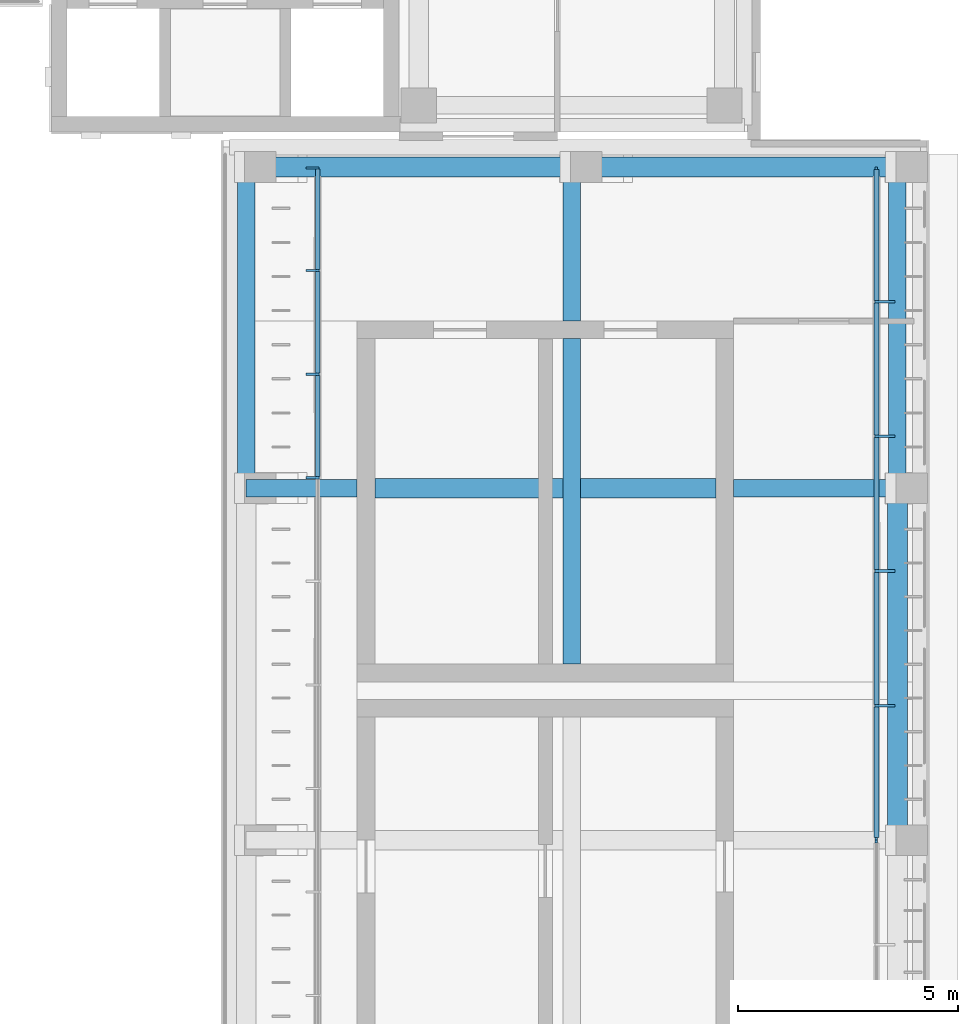
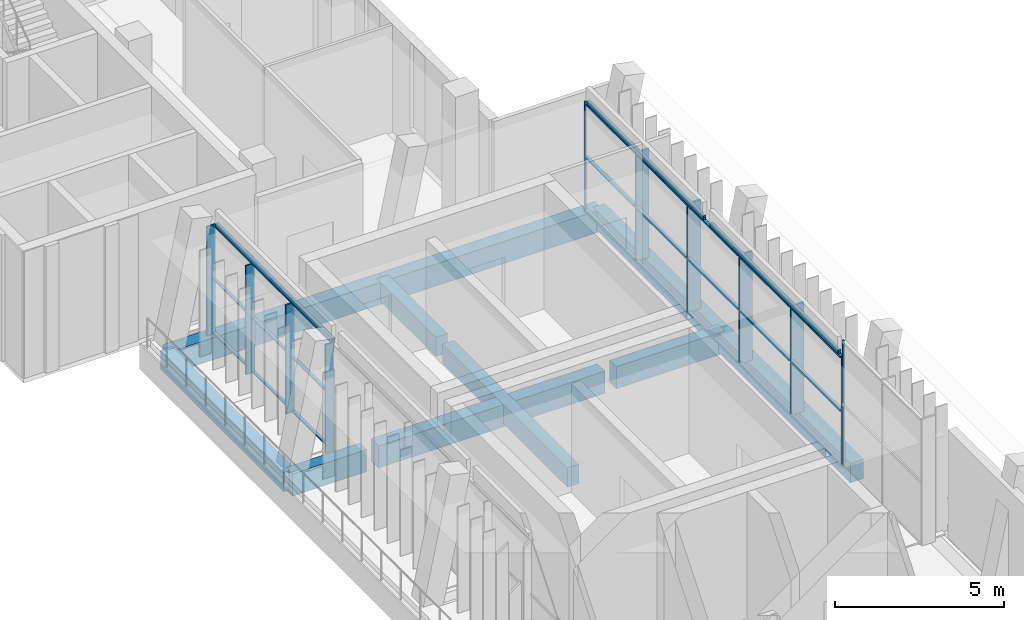
# One storey, part 32 of 74: 35 members, 13 beams, 3 elements without a shape of their own.
"""IFC4 building model written with IfcOpenShell, lengths in metres."""

from ifc_helpers import new_model, si_unit, direction, frame, origin, origin_2d, place, context, subcontext, project, spatial, rectangle, hollow_rectangle, extrude, material, material_profile, profile_set, type_object, element, aggregate, save


model = new_model("IFC4")

# Units and contexts
model_context = context("Model", 3, precision=1e-05, world=origin(), true_north=direction((0.0, 1.0)))
body_context = subcontext(model_context, "Body", "Model", "MODEL_VIEW")
ifc_project = project(units=[si_unit("LENGTHUNIT", "METRE"), si_unit("AREAUNIT", "SQUARE_METRE"), si_unit("VOLUMEUNIT", "CUBIC_METRE"), si_unit("PLANEANGLEUNIT", "RADIAN"), si_unit("MASSUNIT", "GRAM", prefix="KILO")], contexts=[model_context])

# Site, building, storey
site_placement = place(None, origin())
site = spatial("IfcSite", under=ifc_project, at=site_placement, CompositionType="ELEMENT")
building_placement = place(site_placement, origin())
building = spatial("IfcBuilding", under=site, at=building_placement, Name="Lantern Court Media Centre", CompositionType="ELEMENT")
storey_placement = place(building_placement, frame((0.0, 0.0, 19.199951171875)))
storey = spatial("IfcBuildingStorey", under=building, at=storey_placement, Name="L04", CompositionType="ELEMENT", Elevation=19.199951171875)

# Curtain wall, members
ifc_material_1 = material(Name="Curtain wall bay 2400")
curtain_wall_type_1 = type_object("IfcCurtainWallType", Name="Curtain wall bay 2400", PredefinedType="NOTDEFINED", material=ifc_material_1)
curtain_wall_1_placement = place(storey_placement, origin())
curtain_wall_1 = element("IfcCurtainWall", 1, at=curtain_wall_1_placement, inside=storey, type_object=curtain_wall_type_1, Name="Curtain wall E inner L04", PredefinedType="NOTDEFINED")
ifc_material_2 = material(Name="Anodised aluminium", Category="aluminium")
ifc_material_profile_1 = material_profile(ifc_material_2, rectangle(XDim=0.300048828125, YDim=0.050048828125, at=origin_2d()), Name="AL 50x300")
ifc_profile_set_1 = profile_set([ifc_material_profile_1], Name="Anodised aluminium")
member_type_1 = type_object("IfcMemberType", Name="Curtain wall mullion 50x300", PredefinedType="MULLION", material=ifc_profile_set_1)
member_1_placement = place(storey_placement, frame((86.030029296875, 88.238525390625, 0.0), z_axis=(0.0, 0.0, 1.0), x_axis=(-1.0, 0.0, 0.0)))
member_1 = element("IfcMember", 2, at=member_1_placement, type_object=member_type_1, Name="CW2 mullion 11", PredefinedType="MULLION", context=body_context, shape_type="SweptSolid", body=[
    extrude(rectangle(XDim=0.300048828125, YDim=0.050048828125, at=origin_2d()), origin(), (0.0, 0.0, 1.0), 3.949951171875),
])
member_2_placement = place(storey_placement, frame((86.030029296875, 90.59228515625, 0.0), z_axis=(0.0, 0.0, 1.0), x_axis=(-1.0, 0.0, 0.0)))
member_2 = element("IfcMember", 3, at=member_2_placement, type_object=member_type_1, Name="CW2 mullion 12", PredefinedType="MULLION", context=body_context, shape_type="SweptSolid", body=[
    extrude(rectangle(XDim=0.300048828125, YDim=0.050048828125, at=origin_2d()), origin(), (0.0, 0.0, 1.0), 3.949951171875),
])
member_3_placement = place(storey_placement, frame((86.030029296875, 92.946044921875, 0.0), z_axis=(0.0, 0.0, 1.0), x_axis=(-1.0, 0.0, 0.0)))
member_3 = element("IfcMember", 4, at=member_3_placement, type_object=member_type_1, Name="CW2 mullion 13", PredefinedType="MULLION", context=body_context, shape_type="SweptSolid", body=[
    extrude(rectangle(XDim=0.300048828125, YDim=0.050048828125, at=origin_2d()), origin(), (0.0, 0.0, 1.0), 3.949951171875),
])
member_4_placement = place(storey_placement, frame((86.030029296875, 95.27490234375, 0.0), z_axis=(0.0, 0.0, 1.0), x_axis=(-1.0, 0.0, 0.0)))
member_4 = element("IfcMember", 5, at=member_4_placement, type_object=member_type_1, Name="CW2 mullion 14", PredefinedType="MULLION", context=body_context, shape_type="SweptSolid", body=[
    extrude(rectangle(XDim=0.300048828125, YDim=0.050048828125, at=origin_2d()), origin(), (0.0, 0.0, 1.0), 3.949951171875),
])

ifc_material_3 = material(Name="Curtain wall bay 3000")
curtain_wall_type_2 = type_object("IfcCurtainWallType", Name="Curtain wall bay 3000", PredefinedType="NOTDEFINED", material=ifc_material_3)
curtain_wall_2_placement = place(storey_placement, origin())
curtain_wall_2 = element("IfcCurtainWall", 6, at=curtain_wall_2_placement, inside=storey, type_object=curtain_wall_type_2, Name="Curtain wall E outer L04", PredefinedType="NOTDEFINED")
ifc_material_profile_2 = material_profile(ifc_material_2, rectangle(XDim=0.449951171875, YDim=0.06005859375, at=origin_2d()), Name="AL 60x450")
ifc_profile_set_2 = profile_set([ifc_material_profile_2], Name="Anodised aluminium")
member_type_2 = type_object("IfcMemberType", Name="Curtain wall mullion 60x450", PredefinedType="MULLION", material=ifc_profile_set_2)
member_5_placement = place(storey_placement, frame((99.044921875, 83.06005859375, 0.0), z_axis=(0.0, 0.0, 1.0), x_axis=(-1.0, 0.0, 0.0)))
member_5 = element("IfcMember", 7, at=member_5_placement, type_object=member_type_2, Name="CW1 mullion 2", PredefinedType="MULLION", context=body_context, shape_type="SweptSolid", body=[
    extrude(rectangle(XDim=0.449951171875, YDim=0.06005859375, at=origin_2d()), origin(), (0.0, 0.0, 1.0), 3.949951171875),
])
member_6_placement = place(storey_placement, frame((99.044921875, 86.1201171875, 0.0), z_axis=(0.0, 0.0, 1.0), x_axis=(-1.0, 0.0, 0.0)))
member_6 = element("IfcMember", 8, at=member_6_placement, type_object=member_type_2, Name="CW1 mullion 3", PredefinedType="MULLION", context=body_context, shape_type="SweptSolid", body=[
    extrude(rectangle(XDim=0.449951171875, YDim=0.06005859375, at=origin_2d()), origin(), (0.0, 0.0, 1.0), 3.949951171875),
])
member_7_placement = place(storey_placement, frame((99.044921875, 89.179931640625, 0.0), z_axis=(0.0, 0.0, 1.0), x_axis=(-1.0, 0.0, 0.0)))
member_7 = element("IfcMember", 9, at=member_7_placement, type_object=member_type_2, Name="CW1 mullion 4", PredefinedType="MULLION", context=body_context, shape_type="SweptSolid", body=[
    extrude(rectangle(XDim=0.449951171875, YDim=0.06005859375, at=origin_2d()), origin(), (0.0, 0.0, 1.0), 3.949951171875),
])
member_8_placement = place(storey_placement, frame((99.044921875, 92.239990234375, 0.0), z_axis=(0.0, 0.0, 1.0), x_axis=(-1.0, 0.0, 0.0)))
member_8 = element("IfcMember", 10, at=member_8_placement, type_object=member_type_2, Name="CW1 mullion 5", PredefinedType="MULLION", context=body_context, shape_type="SweptSolid", body=[
    extrude(rectangle(XDim=0.449951171875, YDim=0.06005859375, at=origin_2d()), origin(), (0.0, 0.0, 1.0), 3.949951171875),
])

# Curtain wall, member
curtain_wall_3_placement = place(storey_placement, origin())
curtain_wall_3 = element("IfcCurtainWall", 11, at=curtain_wall_3_placement, inside=storey, type_object=curtain_wall_type_2, Name="Curtain wall E outer L04", PredefinedType="NOTDEFINED")
ifc_material_profile_3 = material_profile(ifc_material_2, rectangle(XDim=0.06005859375, YDim=0.06005859375, at=origin_2d()), Name="AL 60x60")
ifc_profile_set_3 = profile_set([ifc_material_profile_3], Name="Anodised aluminium")
member_type_3 = type_object("IfcMemberType", Name="Curtain wall mullion 60x60", PredefinedType="MULLION", material=ifc_profile_set_3)
member_9_placement = place(storey_placement, frame((98.85009765625, 79.969970703125, 0.0), z_axis=(0.0, 0.0, 1.0), x_axis=(-1.0, 0.0, 0.0)))
member_9 = element("IfcMember", 12, at=member_9_placement, type_object=member_type_3, Name="CW1 mullion 3", PredefinedType="MULLION", context=body_context, shape_type="SweptSolid", body=[
    extrude(rectangle(XDim=0.06005859375, YDim=0.06005859375, at=origin_2d()), origin(), (0.0, 0.0, 1.0), 4.580078125),
])
aggregate(curtain_wall_3, [member_9])

# Member
member_10_placement = place(storey_placement, frame((98.85009765625, 80.030029296875, 0.0), z_axis=(0.0, 0.0, 1.0), x_axis=(-1.0, 0.0, 0.0)))
member_10 = element("IfcMember", 13, at=member_10_placement, type_object=member_type_3, Name="CW1 mullion 1", PredefinedType="MULLION", context=body_context, shape_type="SweptSolid", body=[
    extrude(rectangle(XDim=0.06005859375, YDim=0.06005859375, at=origin_2d()), origin(), (0.0, 0.0, 1.0), 3.949951171875),
])

member_11_placement = place(storey_placement, frame((98.85009765625, 95.27001953125, 0.0), z_axis=(0.0, 0.0, 1.0), x_axis=(-1.0, 0.0, 0.0)))
member_11 = element("IfcMember", 14, at=member_11_placement, type_object=member_type_3, Name="CW1 mullion 6", PredefinedType="MULLION", context=body_context, shape_type="SweptSolid", body=[
    extrude(rectangle(XDim=0.06005859375, YDim=0.06005859375, at=origin_2d()), origin(), (0.0, 0.0, 1.0), 3.949951171875),
])

ifc_material_profile_4 = material_profile(ifc_material_2, rectangle(XDim=0.10009765625, YDim=0.050048828125, at=origin_2d()), Name="AL 50x100")
ifc_profile_set_4 = profile_set([ifc_material_profile_4], Name="Anodised aluminium")
member_type_4 = type_object("IfcMemberType", Name="Curtain wall transom 100x50", PredefinedType="USERDEFINED", material=ifc_profile_set_4)
member_12_placement = place(storey_placement, frame((86.14990234375, 88.263427734375, 0.025146484375), z_axis=(0.0, 1.0, 0.0), x_axis=(-1.0, 0.0, 0.0)))
member_12 = element("IfcMember", 15, at=member_12_placement, type_object=member_type_4, Name="CW2 transom 11.1", ObjectType="TRANSOM", PredefinedType="USERDEFINED", context=body_context, shape_type="SweptSolid", body=[
    extrude(rectangle(XDim=0.10009765625, YDim=0.050048828125, at=origin_2d()), origin(), (0.0, 0.0, 1.0), 2.303955078125),
])

member_13_placement = place(storey_placement, frame((86.14990234375, 88.263427734375, 1.97509765625), z_axis=(0.0, 1.0, 0.0), x_axis=(-1.0, 0.0, 0.0)))
member_13 = element("IfcMember", 16, at=member_13_placement, type_object=member_type_4, Name="CW2 transom 11.2", ObjectType="TRANSOM", PredefinedType="USERDEFINED", context=body_context, shape_type="SweptSolid", body=[
    extrude(rectangle(XDim=0.10009765625, YDim=0.050048828125, at=origin_2d()), origin(), (0.0, 0.0, 1.0), 2.303955078125),
])

member_14_placement = place(storey_placement, frame((86.14990234375, 88.263427734375, 3.925048828125), z_axis=(0.0, 1.0, 0.0), x_axis=(-1.0, 0.0, 0.0)))
member_14 = element("IfcMember", 17, at=member_14_placement, type_object=member_type_4, Name="CW2 transom 11.3", ObjectType="TRANSOM", PredefinedType="USERDEFINED", context=body_context, shape_type="SweptSolid", body=[
    extrude(rectangle(XDim=0.10009765625, YDim=0.050048828125, at=origin_2d()), origin(), (0.0, 0.0, 1.0), 2.303955078125),
])

member_15_placement = place(storey_placement, frame((86.14990234375, 90.6171875, 0.025146484375), z_axis=(0.0, 1.0, 0.0), x_axis=(-1.0, 0.0, 0.0)))
member_15 = element("IfcMember", 18, at=member_15_placement, type_object=member_type_4, Name="CW2 transom 12.1", ObjectType="TRANSOM", PredefinedType="USERDEFINED", context=body_context, shape_type="SweptSolid", body=[
    extrude(rectangle(XDim=0.10009765625, YDim=0.050048828125, at=origin_2d()), origin(), (0.0, 0.0, 1.0), 2.303955078125),
])

member_16_placement = place(storey_placement, frame((86.14990234375, 90.6171875, 1.97509765625), z_axis=(0.0, 1.0, 0.0), x_axis=(-1.0, 0.0, 0.0)))
member_16 = element("IfcMember", 19, at=member_16_placement, type_object=member_type_4, Name="CW2 transom 12.2", ObjectType="TRANSOM", PredefinedType="USERDEFINED", context=body_context, shape_type="SweptSolid", body=[
    extrude(rectangle(XDim=0.10009765625, YDim=0.050048828125, at=origin_2d()), origin(), (0.0, 0.0, 1.0), 2.303955078125),
])

member_17_placement = place(storey_placement, frame((86.14990234375, 90.6171875, 3.925048828125), z_axis=(0.0, 1.0, 0.0), x_axis=(-1.0, 0.0, 0.0)))
member_17 = element("IfcMember", 20, at=member_17_placement, type_object=member_type_4, Name="CW2 transom 12.3", ObjectType="TRANSOM", PredefinedType="USERDEFINED", context=body_context, shape_type="SweptSolid", body=[
    extrude(rectangle(XDim=0.10009765625, YDim=0.050048828125, at=origin_2d()), origin(), (0.0, 0.0, 1.0), 2.303955078125),
])

member_18_placement = place(storey_placement, frame((86.14990234375, 92.97119140625, 0.025146484375), z_axis=(0.0, 1.0, 0.0), x_axis=(-1.0, 0.0, 0.0)))
member_18 = element("IfcMember", 21, at=member_18_placement, type_object=member_type_4, Name="CW2 transom 13.1", ObjectType="TRANSOM", PredefinedType="USERDEFINED", context=body_context, shape_type="SweptSolid", body=[
    extrude(rectangle(XDim=0.10009765625, YDim=0.050048828125, at=origin_2d()), origin(), (0.0, 0.0, 1.0), 2.27880859375),
])

member_19_placement = place(storey_placement, frame((86.14990234375, 92.97119140625, 1.97509765625), z_axis=(0.0, 1.0, 0.0), x_axis=(-1.0, 0.0, 0.0)))
member_19 = element("IfcMember", 22, at=member_19_placement, type_object=member_type_4, Name="CW2 transom 13.2", ObjectType="TRANSOM", PredefinedType="USERDEFINED", context=body_context, shape_type="SweptSolid", body=[
    extrude(rectangle(XDim=0.10009765625, YDim=0.050048828125, at=origin_2d()), origin(), (0.0, 0.0, 1.0), 2.27880859375),
])

member_20_placement = place(storey_placement, frame((86.14990234375, 92.97119140625, 3.925048828125), z_axis=(0.0, 1.0, 0.0), x_axis=(-1.0, 0.0, 0.0)))
member_20 = element("IfcMember", 23, at=member_20_placement, type_object=member_type_4, Name="CW2 transom 13.3", ObjectType="TRANSOM", PredefinedType="USERDEFINED", context=body_context, shape_type="SweptSolid", body=[
    extrude(rectangle(XDim=0.10009765625, YDim=0.050048828125, at=origin_2d()), origin(), (0.0, 0.0, 1.0), 2.27880859375),
])

aggregate(curtain_wall_1, [member_1, member_2, member_3, member_4, member_12, member_13, member_14, member_15, member_16, member_17, member_18, member_19, member_20])

ifc_material_profile_5 = material_profile(ifc_material_2, rectangle(XDim=0.1201171875, YDim=0.06005859375, at=origin_2d()), Name="AL 60x120")
ifc_profile_set_5 = profile_set([ifc_material_profile_5], Name="Anodised aluminium")
member_type_5 = type_object("IfcMemberType", Name="Curtain wall transom 60x120", PredefinedType="USERDEFINED", material=ifc_profile_set_5)
member_21_placement = place(storey_placement, frame((98.85009765625, 80.06005859375, 0.030029296875), z_axis=(0.0, 1.0, 0.0), x_axis=(-1.0, 0.0, 0.0)))
member_21 = element("IfcMember", 24, at=member_21_placement, type_object=member_type_5, Name="CW1 transom 1.1", ObjectType="TRANSOM", PredefinedType="USERDEFINED", context=body_context, shape_type="SweptSolid", body=[
    extrude(rectangle(XDim=0.1201171875, YDim=0.06005859375, at=origin_2d()), origin(), (0.0, 0.0, 1.0), 2.969970703125),
])

member_22_placement = place(storey_placement, frame((98.85009765625, 80.06005859375, 1.97509765625), z_axis=(0.0, 1.0, 0.0), x_axis=(-1.0, 0.0, 0.0)))
member_22 = element("IfcMember", 25, at=member_22_placement, type_object=member_type_5, Name="CW1 transom 1.2", ObjectType="TRANSOM", PredefinedType="USERDEFINED", context=body_context, shape_type="SweptSolid", body=[
    extrude(rectangle(XDim=0.1201171875, YDim=0.06005859375, at=origin_2d()), origin(), (0.0, 0.0, 1.0), 2.969970703125),
])

member_23_placement = place(storey_placement, frame((98.85009765625, 80.06005859375, 3.920166015625), z_axis=(0.0, 1.0, 0.0), x_axis=(-1.0, 0.0, 0.0)))
member_23 = element("IfcMember", 26, at=member_23_placement, type_object=member_type_5, Name="CW1 transom 1.3", ObjectType="TRANSOM", PredefinedType="USERDEFINED", context=body_context, shape_type="SweptSolid", body=[
    extrude(rectangle(XDim=0.1201171875, YDim=0.06005859375, at=origin_2d()), origin(), (0.0, 0.0, 1.0), 2.969970703125),
])

member_24_placement = place(storey_placement, frame((98.85009765625, 83.090087890625, 0.030029296875), z_axis=(0.0, 1.0, 0.0), x_axis=(-1.0, 0.0, 0.0)))
member_24 = element("IfcMember", 27, at=member_24_placement, type_object=member_type_5, Name="CW1 transom 2.1", ObjectType="TRANSOM", PredefinedType="USERDEFINED", context=body_context, shape_type="SweptSolid", body=[
    extrude(rectangle(XDim=0.1201171875, YDim=0.06005859375, at=origin_2d()), origin(), (0.0, 0.0, 1.0), 3.0),
])

member_25_placement = place(storey_placement, frame((98.85009765625, 83.090087890625, 1.97509765625), z_axis=(0.0, 1.0, 0.0), x_axis=(-1.0, 0.0, 0.0)))
member_25 = element("IfcMember", 28, at=member_25_placement, type_object=member_type_5, Name="CW1 transom 2.2", ObjectType="TRANSOM", PredefinedType="USERDEFINED", context=body_context, shape_type="SweptSolid", body=[
    extrude(rectangle(XDim=0.1201171875, YDim=0.06005859375, at=origin_2d()), origin(), (0.0, 0.0, 1.0), 3.0),
])

member_26_placement = place(storey_placement, frame((98.85009765625, 83.090087890625, 3.920166015625), z_axis=(0.0, 1.0, 0.0), x_axis=(-1.0, 0.0, 0.0)))
member_26 = element("IfcMember", 29, at=member_26_placement, type_object=member_type_5, Name="CW1 transom 2.3", ObjectType="TRANSOM", PredefinedType="USERDEFINED", context=body_context, shape_type="SweptSolid", body=[
    extrude(rectangle(XDim=0.1201171875, YDim=0.06005859375, at=origin_2d()), origin(), (0.0, 0.0, 1.0), 3.0),
])

member_27_placement = place(storey_placement, frame((98.85009765625, 86.14990234375, 0.030029296875), z_axis=(0.0, 1.0, 0.0), x_axis=(-1.0, 0.0, 0.0)))
member_27 = element("IfcMember", 30, at=member_27_placement, type_object=member_type_5, Name="CW1 transom 3.1", ObjectType="TRANSOM", PredefinedType="USERDEFINED", context=body_context, shape_type="SweptSolid", body=[
    extrude(rectangle(XDim=0.1201171875, YDim=0.06005859375, at=origin_2d()), origin(), (0.0, 0.0, 1.0), 3.0),
])

member_28_placement = place(storey_placement, frame((98.85009765625, 86.14990234375, 1.97509765625), z_axis=(0.0, 1.0, 0.0), x_axis=(-1.0, 0.0, 0.0)))
member_28 = element("IfcMember", 31, at=member_28_placement, type_object=member_type_5, Name="CW1 transom 3.2", ObjectType="TRANSOM", PredefinedType="USERDEFINED", context=body_context, shape_type="SweptSolid", body=[
    extrude(rectangle(XDim=0.1201171875, YDim=0.06005859375, at=origin_2d()), origin(), (0.0, 0.0, 1.0), 3.0),
])

member_29_placement = place(storey_placement, frame((98.85009765625, 86.14990234375, 3.920166015625), z_axis=(0.0, 1.0, 0.0), x_axis=(-1.0, 0.0, 0.0)))
member_29 = element("IfcMember", 32, at=member_29_placement, type_object=member_type_5, Name="CW1 transom 3.3", ObjectType="TRANSOM", PredefinedType="USERDEFINED", context=body_context, shape_type="SweptSolid", body=[
    extrude(rectangle(XDim=0.1201171875, YDim=0.06005859375, at=origin_2d()), origin(), (0.0, 0.0, 1.0), 3.0),
])

member_30_placement = place(storey_placement, frame((98.85009765625, 89.2099609375, 0.030029296875), z_axis=(0.0, 1.0, 0.0), x_axis=(-1.0, 0.0, 0.0)))
member_30 = element("IfcMember", 33, at=member_30_placement, type_object=member_type_5, Name="CW1 transom 4.1", ObjectType="TRANSOM", PredefinedType="USERDEFINED", context=body_context, shape_type="SweptSolid", body=[
    extrude(rectangle(XDim=0.1201171875, YDim=0.06005859375, at=origin_2d()), origin(), (0.0, 0.0, 1.0), 3.0),
])

member_31_placement = place(storey_placement, frame((98.85009765625, 89.2099609375, 1.97509765625), z_axis=(0.0, 1.0, 0.0), x_axis=(-1.0, 0.0, 0.0)))
member_31 = element("IfcMember", 34, at=member_31_placement, type_object=member_type_5, Name="CW1 transom 4.2", ObjectType="TRANSOM", PredefinedType="USERDEFINED", context=body_context, shape_type="SweptSolid", body=[
    extrude(rectangle(XDim=0.1201171875, YDim=0.06005859375, at=origin_2d()), origin(), (0.0, 0.0, 1.0), 3.0),
])

member_32_placement = place(storey_placement, frame((98.85009765625, 89.2099609375, 3.920166015625), z_axis=(0.0, 1.0, 0.0), x_axis=(-1.0, 0.0, 0.0)))
member_32 = element("IfcMember", 35, at=member_32_placement, type_object=member_type_5, Name="CW1 transom 4.3", ObjectType="TRANSOM", PredefinedType="USERDEFINED", context=body_context, shape_type="SweptSolid", body=[
    extrude(rectangle(XDim=0.1201171875, YDim=0.06005859375, at=origin_2d()), origin(), (0.0, 0.0, 1.0), 3.0),
])

member_33_placement = place(storey_placement, frame((98.85009765625, 92.27001953125, 0.030029296875), z_axis=(0.0, 1.0, 0.0), x_axis=(-1.0, 0.0, 0.0)))
member_33 = element("IfcMember", 36, at=member_33_placement, type_object=member_type_5, Name="CW1 transom 5.1", ObjectType="TRANSOM", PredefinedType="USERDEFINED", context=body_context, shape_type="SweptSolid", body=[
    extrude(rectangle(XDim=0.1201171875, YDim=0.06005859375, at=origin_2d()), origin(), (0.0, 0.0, 1.0), 2.969970703125),
])

member_34_placement = place(storey_placement, frame((98.85009765625, 92.27001953125, 1.97509765625), z_axis=(0.0, 1.0, 0.0), x_axis=(-1.0, 0.0, 0.0)))
member_34 = element("IfcMember", 37, at=member_34_placement, type_object=member_type_5, Name="CW1 transom 5.2", ObjectType="TRANSOM", PredefinedType="USERDEFINED", context=body_context, shape_type="SweptSolid", body=[
    extrude(rectangle(XDim=0.1201171875, YDim=0.06005859375, at=origin_2d()), origin(), (0.0, 0.0, 1.0), 2.969970703125),
])

member_35_placement = place(storey_placement, frame((98.85009765625, 92.27001953125, 3.920166015625), z_axis=(0.0, 1.0, 0.0), x_axis=(-1.0, 0.0, 0.0)))
member_35 = element("IfcMember", 38, at=member_35_placement, type_object=member_type_5, Name="CW1 transom 5.3", ObjectType="TRANSOM", PredefinedType="USERDEFINED", context=body_context, shape_type="SweptSolid", body=[
    extrude(rectangle(XDim=0.1201171875, YDim=0.06005859375, at=origin_2d()), origin(), (0.0, 0.0, 1.0), 2.969970703125),
])

aggregate(curtain_wall_2, [member_10, member_5, member_6, member_7, member_8, member_11, member_21, member_22, member_23, member_24, member_25, member_26, member_27, member_28, member_29, member_30, member_31, member_32, member_33, member_34, member_35])

# Beams
ifc_material_4 = material(Name="Steel S355J2 (EN 10025-2)", Category="steel")
ifc_material_profile_6 = material_profile(ifc_material_4, hollow_rectangle(XDim=0.10009765625, YDim=0.14990234375, WallThickness=0.00634765625, InnerFilletRadius=0.00634765625, OuterFilletRadius=0.009521484375, at=origin_2d()), Name="Facade head lintel RHS 150x100x6.3")
ifc_profile_set_6 = profile_set([ifc_material_profile_6], Name="Steel S355J2 (EN 10025-2)")
beam_type_1 = type_object("IfcBeamType", Name="Facade head lintel RHS 150x100x6.3", PredefinedType="BEAM", material=ifc_profile_set_6)
beam_1_placement = place(storey_placement, frame((98.85009765625, 80.199951171875, 4.025146484375), z_axis=(0.0, 1.0, 0.0), x_axis=(-1.0, 0.0, 0.0)))
element("IfcBeam", 39, at=beam_1_placement, inside=storey, type_object=beam_type_1, Name="Facade head lintel E L04", PredefinedType="BEAM", context=body_context, shape_type="SweptSolid", body=[
    extrude(hollow_rectangle(XDim=0.10009765625, YDim=0.14990234375, WallThickness=0.00634765625, InnerFilletRadius=0.00634765625, OuterFilletRadius=0.009521484375, at=origin_2d()), origin(), (0.0, 0.0, 1.0), 7.60009765625),
])
for number, where, z_axis, x_axis, name in (
    (40, (98.85009765625, 88.199951171875, 4.025146484375), (0.0, 1.0, 0.0), (-1.0, 0.0, 0.0), "Facade head lintel E L04"),
    (41, (86.14990234375, 88.199951171875, 4.025146484375), (0.0, 1.0, 0.0), (-1.0, 0.0, 0.0), "Facade head lintel E L04"),
):
    element("IfcBeam", number, at=place(storey_placement, frame(where, z_axis=z_axis, x_axis=x_axis)), inside=storey, type_object=beam_type_1, Name=name, PredefinedType="BEAM", context=body_context, shape_type="SweptSolid", body=[
        extrude(hollow_rectangle(XDim=0.10009765625, YDim=0.14990234375, WallThickness=0.00634765625, InnerFilletRadius=0.00634765625, OuterFilletRadius=0.009521484375, at=origin_2d()), origin(), (0.0, 0.0, 1.0), 6.900146484375),
    ])
ifc_material_5 = material(Name="Concrete C35", Category="concrete")
ifc_material_profile_7 = material_profile(ifc_material_5, rectangle(XDim=0.39990234375, YDim=0.699951171875, at=origin_2d()), Name="RC 400x700")
ifc_profile_set_7 = profile_set([ifc_material_profile_7], Name="Concrete C35")
beam_type_2 = type_object("IfcBeamType", Name="RC BEAM 400x700", PredefinedType="BEAM", material=ifc_profile_set_7)
beam_2_placement = place(storey_placement, frame((84.527099609375, 88.0, -0.349853515625), z_axis=(0.0, 1.0, 0.0), x_axis=(-1.0, 0.0, 0.0)))
element("IfcBeam", 42, at=beam_2_placement, inside=storey, type_object=beam_type_2, Name="LB-E-L04-0-3", PredefinedType="BEAM", context=body_context, shape_type="SweptSolid", body=[
    extrude(rectangle(XDim=0.39990234375, YDim=0.699951171875, at=origin_2d()), origin(), (0.0, 0.0, 1.0), 7.300048828125),
])
beam_3_placement = place(storey_placement, frame((91.927001953125, 84.0, -0.349853515625), z_axis=(0.0, 1.0, 0.0), x_axis=(-1.0, 0.0, 0.0)))
element("IfcBeam", 43, at=beam_3_placement, inside=storey, type_object=beam_type_2, Name="LB-E-L04-1-02", PredefinedType="BEAM", context=body_context, shape_type="SweptSolid", body=[
    extrude(rectangle(XDim=0.39990234375, YDim=0.699951171875, at=origin_2d()), origin(), (0.0, 0.0, 1.0), 7.39990234375),
])
beam_4_placement = place(storey_placement, frame((91.927001953125, 91.800048828125, -0.349853515625), z_axis=(0.0, 1.0, 0.0), x_axis=(-1.0, 0.0, 0.0)))
element("IfcBeam", 44, at=beam_4_placement, inside=storey, type_object=beam_type_2, Name="LB-E-L04-1-03", PredefinedType="BEAM", context=body_context, shape_type="SweptSolid", body=[
    extrude(rectangle(XDim=0.39990234375, YDim=0.699951171875, at=origin_2d()), origin(), (0.0, 0.0, 1.0), 3.5),
])
beam_5_placement = place(storey_placement, frame((99.3271484375, 88.0, -0.349853515625), z_axis=(0.0, 1.0, 0.0), x_axis=(-1.0, 0.0, 0.0)))
element("IfcBeam", 45, at=beam_5_placement, inside=storey, type_object=beam_type_2, Name="LB-E-L04-2-3", PredefinedType="BEAM", context=body_context, shape_type="SweptSolid", body=[
    extrude(rectangle(XDim=0.39990234375, YDim=0.699951171875, at=origin_2d()), origin(), (0.0, 0.0, 1.0), 7.300048828125),
])
ifc_material_profile_8 = material_profile(ifc_material_5, rectangle(XDim=0.39990234375, YDim=0.800048828125, at=origin_2d()), Name="RC 400x800")
ifc_profile_set_8 = profile_set([ifc_material_profile_8], Name="Concrete C35")
beam_type_3 = type_object("IfcBeamType", Name="RC BEAM 400x800", PredefinedType="BEAM", material=ifc_profile_set_8)
beam_6_placement = place(storey_placement, frame((84.5166015625, 88.0, -0.39990234375), z_axis=(1.0, 0.0, 0.0), x_axis=(0.0, 1.0, 0.0)))
element("IfcBeam", 46, at=beam_6_placement, inside=storey, type_object=beam_type_3, Name="TB-E-L04-3-1", PredefinedType="BEAM", context=body_context, shape_type="SweptSolid", body=[
    extrude(rectangle(XDim=0.39990234375, YDim=0.800048828125, at=origin_2d()), origin(), (0.0, 0.0, 1.0), 2.533447265625),
])
beam_7_placement = place(storey_placement, frame((95.60009765625, 88.0, -0.39990234375), z_axis=(1.0, 0.0, 0.0), x_axis=(0.0, 1.0, 0.0)))
element("IfcBeam", 47, at=beam_7_placement, inside=storey, type_object=beam_type_3, Name="TB-E-L04-3-12", PredefinedType="BEAM", context=body_context, shape_type="SweptSolid", body=[
    extrude(rectangle(XDim=0.39990234375, YDim=0.800048828125, at=origin_2d()), origin(), (0.0, 0.0, 1.0), 3.716552734375),
])
ifc_material_profile_9 = material_profile(ifc_material_5, rectangle(XDim=0.449951171875, YDim=0.699951171875, at=origin_2d()), Name="RC 450x700")
ifc_profile_set_9 = profile_set([ifc_material_profile_9], Name="Concrete C35")
beam_type_4 = type_object("IfcBeamType", Name="RC BEAM 450x700", PredefinedType="BEAM", material=ifc_profile_set_9)
beam_8_placement = place(storey_placement, frame((99.3271484375, 80.0, -0.349853515625), z_axis=(0.0, 1.0, 0.0), x_axis=(-1.0, 0.0, 0.0)))
element("IfcBeam", 48, at=beam_8_placement, inside=storey, type_object=beam_type_4, Name="LB-E-L04-2-2", PredefinedType="BEAM", context=body_context, shape_type="SweptSolid", body=[
    extrude(rectangle(XDim=0.449951171875, YDim=0.699951171875, at=origin_2d()), origin(), (0.0, 0.0, 1.0), 8.0),
])
ifc_material_profile_10 = material_profile(ifc_material_5, rectangle(XDim=0.449951171875, YDim=0.800048828125, at=origin_2d()), Name="RC 450x800")
ifc_profile_set_10 = profile_set([ifc_material_profile_10], Name="Concrete C35")
beam_type_5 = type_object("IfcBeamType", Name="RC BEAM 450x800", PredefinedType="BEAM", material=ifc_profile_set_10)
beam_9_placement = place(storey_placement, frame((87.449951171875, 88.0, -0.39990234375), z_axis=(1.0, 0.0, 0.0), x_axis=(0.0, 1.0, 0.0)))
element("IfcBeam", 49, at=beam_9_placement, inside=storey, type_object=beam_type_5, Name="TB-E-L04-3-11", PredefinedType="BEAM", context=body_context, shape_type="SweptSolid", body=[
    extrude(rectangle(XDim=0.449951171875, YDim=0.800048828125, at=origin_2d()), origin(), (0.0, 0.0, 1.0), 7.75),
])
beam_10_placement = place(storey_placement, frame((84.5166015625, 95.300048828125, -0.39990234375), z_axis=(1.0, 0.0, 0.0), x_axis=(0.0, 1.0, 0.0)))
element("IfcBeam", 50, at=beam_10_placement, inside=storey, type_object=beam_type_5, Name="TB-E-L04-4-1", PredefinedType="BEAM", context=body_context, shape_type="SweptSolid", body=[
    extrude(rectangle(XDim=0.449951171875, YDim=0.800048828125, at=origin_2d()), origin(), (0.0, 0.0, 1.0), 7.400146484375),
])
beam_11_placement = place(storey_placement, frame((91.916748046875, 95.300048828125, -0.39990234375), z_axis=(1.0, 0.0, 0.0), x_axis=(0.0, 1.0, 0.0)))
element("IfcBeam", 51, at=beam_11_placement, inside=storey, type_object=beam_type_5, Name="TB-E-L04-4-2", PredefinedType="BEAM", context=body_context, shape_type="SweptSolid", body=[
    extrude(rectangle(XDim=0.449951171875, YDim=0.800048828125, at=origin_2d()), origin(), (0.0, 0.0, 1.0), 7.39990234375),
])

save(model, "model.ifc")
